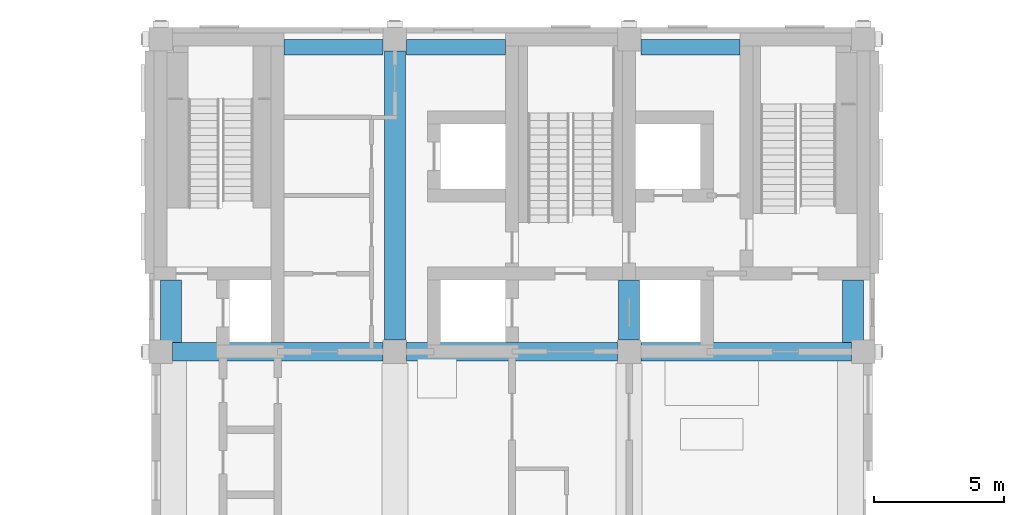
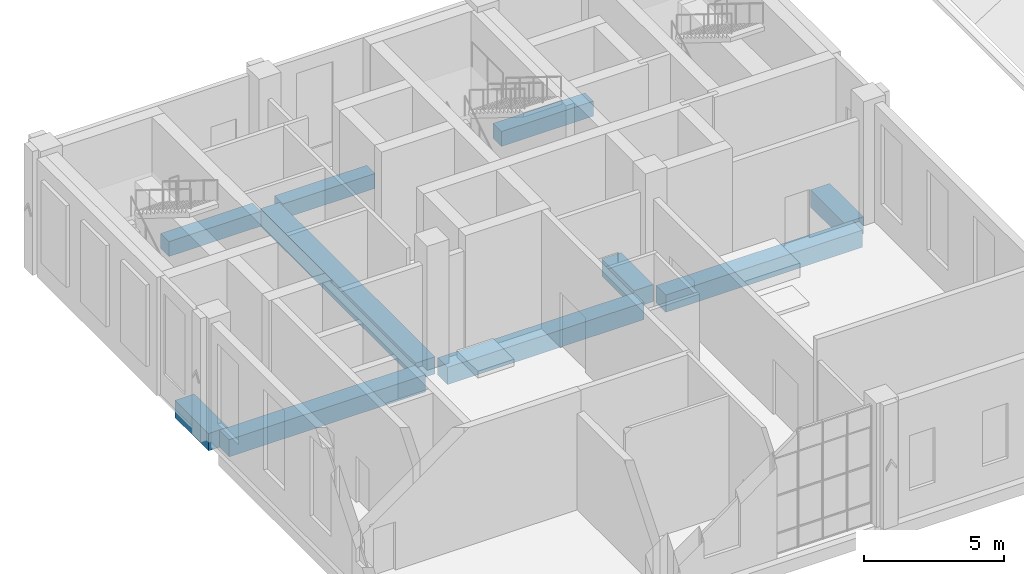
# One storey, part 5 of 25: 10 beams.
"""IFC4 building model written with IfcOpenShell, lengths in metres."""

from ifc_helpers import new_model, si_unit, direction, frame, origin, origin_2d, place, context, subcontext, project, spatial, rectangle, extrude, material, material_profile, profile_set, type_object, element, save


model = new_model("IFC4")

# Units and contexts
model_context = context("Model", 3, precision=1e-05, world=origin(), true_north=direction((0.0, 1.0)))
body_context = subcontext(model_context, "Body", "Model", "MODEL_VIEW")
ifc_project = project(units=[si_unit("LENGTHUNIT", "METRE"), si_unit("AREAUNIT", "SQUARE_METRE"), si_unit("VOLUMEUNIT", "CUBIC_METRE"), si_unit("PLANEANGLEUNIT", "RADIAN"), si_unit("MASSUNIT", "GRAM", prefix="KILO")], contexts=[model_context])

# Site, building, storey
site_placement = place(None, origin())
site = spatial("IfcSite", under=ifc_project, at=site_placement, CompositionType="ELEMENT")
building_placement = place(site_placement, origin())
building = spatial("IfcBuilding", under=site, at=building_placement, Name="Aurelan Courthouse", CompositionType="ELEMENT")
storey_placement = place(building_placement, frame((0.0, 0.0, 33.60009765625)))
storey = spatial("IfcBuildingStorey", under=building, at=storey_placement, Name="L06", CompositionType="ELEMENT", Elevation=33.60009765625)

# Beams
ifc_material = material(Name="Concrete C50", Category="concrete")
ifc_material_profile_1 = material_profile(ifc_material, rectangle(XDim=0.699951171875, YDim=0.75, at=origin_2d()), Name="RC 700 x 750")
ifc_profile_set_1 = profile_set([ifc_material_profile_1], Name="Concrete C50")
beam_type_1 = type_object("IfcBeamType", Name="PT beam 700 x 750", PredefinedType="BEAM", material=ifc_profile_set_1)
for number, where, z_axis, x_axis, name in (
    (1, (36.449951171875, 54.0, -0.625), (1.0, 0.0, 0.0), (0.0, 1.0, 0.0), "Beam EB-E-5-6"),
    (2, (45.449951171875, 54.0, -0.625), (1.0, 0.0, 0.0), (0.0, 1.0, 0.0), "Beam EB-E-6-7"),
    (3, (54.449951171875, 54.0, -0.625), (1.0, 0.0, 0.0), (0.0, 1.0, 0.0), "Beam EB-E-7-8"),
):
    element("IfcBeam", number, at=place(storey_placement, frame(where, z_axis=z_axis, x_axis=x_axis)), inside=storey, type_object=beam_type_1, Name=name, PredefinedType="BEAM", context=body_context, shape_type="SweptSolid", body=[
        extrude(rectangle(XDim=0.699951171875, YDim=0.75, at=origin_2d()), origin(), (0.0, 0.0, 1.0), 8.10009765625),
    ])
ifc_material_profile_2 = material_profile(ifc_material, rectangle(XDim=0.800048828125, YDim=0.75, at=origin_2d()), Name="RC 800 x 750")
ifc_profile_set_2 = profile_set([ifc_material_profile_2], Name="Concrete C50")
beam_type_2 = type_object("IfcBeamType", Name="PT girder 800 x 750", PredefinedType="BEAM", material=ifc_profile_set_2)
beam_1_placement = place(storey_placement, frame((36.39990234375, 54.35009765625, -0.625), z_axis=(0.0, 1.0, 0.0), x_axis=(-1.0, 0.0, 0.0)))
element("IfcBeam", 4, at=beam_1_placement, inside=storey, type_object=beam_type_2, Name="Girder GB-5EF-E", PredefinedType="BEAM", context=body_context, shape_type="SweptSolid", body=[
    extrude(rectangle(XDim=0.800048828125, YDim=0.75, at=origin_2d()), origin(), (0.0, 0.0, 1.0), 2.39990234375),
])
beam_2_placement = place(storey_placement, frame((45.0, 54.449951171875, -0.625), z_axis=(0.0, 1.0, 0.0), x_axis=(-1.0, 0.0, 0.0)))
element("IfcBeam", 5, at=beam_2_placement, inside=storey, type_object=beam_type_2, Name="Girder GB-6EF", PredefinedType="BEAM", context=body_context, shape_type="SweptSolid", body=[
    extrude(rectangle(XDim=0.800048828125, YDim=0.75, at=origin_2d()), origin(), (0.0, 0.0, 1.0), 11.10009765625),
])
beam_3_placement = place(storey_placement, frame((54.0, 54.449951171875, -0.625), z_axis=(0.0, 1.0, 0.0), x_axis=(-1.0, 0.0, 0.0)))
element("IfcBeam", 6, at=beam_3_placement, inside=storey, type_object=beam_type_2, Name="Girder GB-7EF", PredefinedType="BEAM", context=body_context, shape_type="SweptSolid", body=[
    extrude(rectangle(XDim=0.800048828125, YDim=0.75, at=origin_2d()), origin(), (0.0, 0.0, 1.0), 2.300048828125),
])
beam_4_placement = place(storey_placement, frame((62.60009765625, 54.35009765625, -0.625), z_axis=(0.0, 1.0, 0.0), x_axis=(-1.0, 0.0, 0.0)))
element("IfcBeam", 7, at=beam_4_placement, inside=storey, type_object=beam_type_2, Name="Girder GB-8EF-E", PredefinedType="BEAM", context=body_context, shape_type="SweptSolid", body=[
    extrude(rectangle(XDim=0.800048828125, YDim=0.75, at=origin_2d()), origin(), (0.0, 0.0, 1.0), 2.39990234375),
])
ifc_material_profile_3 = material_profile(ifc_material, rectangle(XDim=0.60009765625, YDim=0.64990234375, at=origin_2d()), Name="RC 600 x 650")
ifc_profile_set_3 = profile_set([ifc_material_profile_3], Name="Concrete C50")
beam_type_3 = type_object("IfcBeamType", Name="RC spandrel beam 600 x 650", PredefinedType="SPANDREL", material=ifc_profile_set_3)
for number, where, z_axis, x_axis, name in (
    (8, (40.75, 65.699951171875, -0.5751953125), (1.0, 0.0, 0.0), (0.0, 1.0, 0.0), "Spandrel beam SB-F-5-6"),
    (9, (45.449951171875, 65.699951171875, -0.5751953125), (1.0, 0.0, 0.0), (0.0, 1.0, 0.0), "Spandrel beam SB-F-6-7"),
    (10, (54.449951171875, 65.699951171875, -0.5751953125), (1.0, 0.0, 0.0), (0.0, 1.0, 0.0), "Spandrel beam SB-F-7-8"),
):
    element("IfcBeam", number, at=place(storey_placement, frame(where, z_axis=z_axis, x_axis=x_axis)), inside=storey, type_object=beam_type_3, Name=name, PredefinedType="SPANDREL", context=body_context, shape_type="SweptSolid", body=[
        extrude(rectangle(XDim=0.60009765625, YDim=0.64990234375, at=origin_2d()), origin(), (0.0, 0.0, 1.0), 3.800048828125),
    ])

save(model, "model.ifc")
